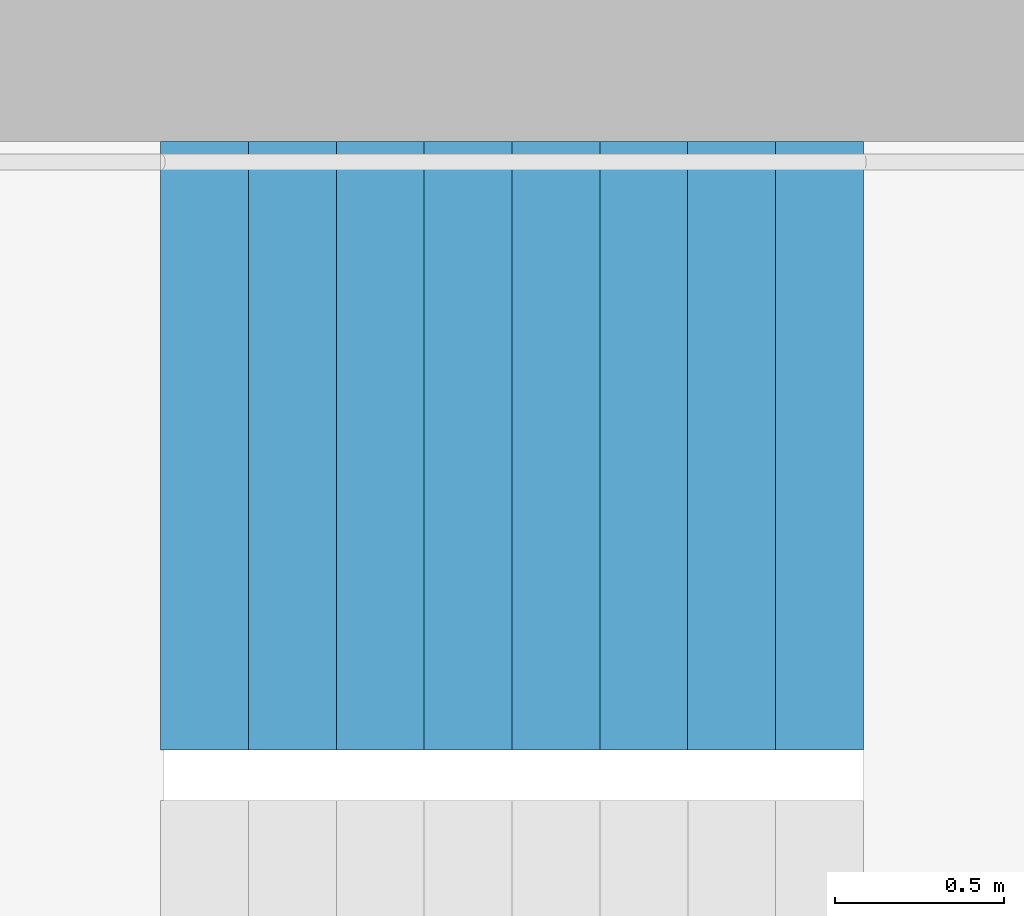
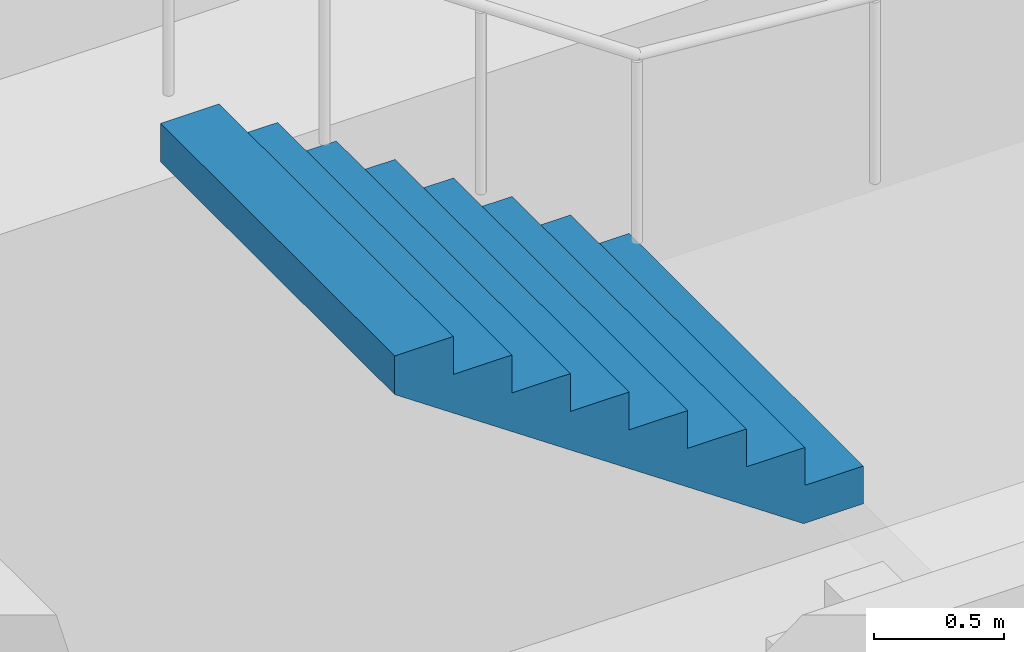
# One storey, part 22 of 27: 1 stair flight, 1 element without a shape of its own.
"""IFC4 building model written with IfcOpenShell, lengths in metres."""

from ifc_helpers import new_model, si_unit, direction, frame, origin, place, context, subcontext, project, spatial, triangles, material, type_object, element, aggregate, save


model = new_model("IFC4")

# Units and contexts
model_context = context("Model", 3, precision=1e-05, world=origin(), true_north=direction((0.0, 1.0)))
body_context = subcontext(model_context, "Body", "Model", "MODEL_VIEW")
ifc_project = project(units=[si_unit("LENGTHUNIT", "METRE"), si_unit("AREAUNIT", "SQUARE_METRE"), si_unit("VOLUMEUNIT", "CUBIC_METRE"), si_unit("PLANEANGLEUNIT", "RADIAN"), si_unit("MASSUNIT", "GRAM", prefix="KILO")], contexts=[model_context])

# Site, building, storey
site_placement = place(None, origin())
site = spatial("IfcSite", under=ifc_project, at=site_placement, CompositionType="ELEMENT")
building_placement = place(site_placement, origin())
building = spatial("IfcBuilding", under=site, at=building_placement, Name="Hakoniwa Tower and Hamabe Station Hall", CompositionType="ELEMENT")
storey_placement = place(building_placement, frame((0.0, 0.0, 261.39990234375)))
storey = spatial("IfcBuildingStorey", under=building, at=storey_placement, Name="L74", CompositionType="ELEMENT", Elevation=261.39990234375)

# Stair, stair flight
ifc_material_1 = material(Name="Concrete C40", Category="concrete")
stair_type = type_object("IfcStairType", Name="ESCAPE STAIR 1800", PredefinedType="HALF_TURN_STAIR", material=ifc_material_1)
stair_placement = place(storey_placement, origin())
stair = element("IfcStair", 1, at=stair_placement, inside=storey, type_object=stair_type, Name="Escape stair ST-1 L74", PredefinedType="HALF_TURN_STAIR")
ifc_material_2 = material(Name="Concrete C40", Category="concrete")
stair_flight_type = type_object("IfcStairFlightType", Name="STAIR FLIGHT 1800", PredefinedType="STRAIGHT", material=ifc_material_2)
stair_flight_placement = place(storey_placement, frame((-22.320068359375, 6.60009765625, 1.60009765625), z_axis=(0.0, 0.0, 1.0), x_axis=(-1.0, 0.0, 0.0)))
stair_flight = element("IfcStairFlight", 2, at=stair_flight_placement, type_object=stair_flight_type, Name="ST-1 flight 2", NumberOfRisers=9, NumberOfTreads=8, PredefinedType="STRAIGHT", RiserHeight=0.177777778, TreadLength=0.26, context=body_context, shape_type="Tessellation", body=[
    triangles([(0.0, 0.89990234375, 0.0), (0.260009765625, 0.89990234375, 0.0), (0.265625, 0.89990234375, 0.0), (0.52001953125, 0.89990234375, 0.174072265625), (0.780029296875, 0.89990234375, 0.351806640625), (1.0400390625, 0.89990234375, 0.529541015625), (1.300048828125, 0.89990234375, 0.707275390625), (1.56005859375, 0.89990234375, 0.885009765625), (1.820068359375, 0.89990234375, 1.062744140625), (2.080078125, 0.89990234375, 1.24072265625), (2.080078125, 0.89990234375, 1.422119140625), (1.820068359375, 0.89990234375, 1.422119140625), (1.820068359375, 0.89990234375, 1.244384765625), (1.56005859375, 0.89990234375, 1.244384765625), (1.56005859375, 0.89990234375, 1.066650390625), (1.300048828125, 0.89990234375, 1.066650390625), (1.300048828125, 0.89990234375, 0.888916015625), (1.0400390625, 0.89990234375, 0.888916015625), (1.0400390625, 0.89990234375, 0.711181640625), (0.780029296875, 0.89990234375, 0.711181640625), (0.780029296875, 0.89990234375, 0.533447265625), (0.52001953125, 0.89990234375, 0.533447265625), (0.52001953125, 0.89990234375, 0.35546875), (0.265625, 0.89990234375, 0.35546875), (0.260009765625, 0.89990234375, 0.35546875), (0.260009765625, 0.89990234375, 0.177734375), (0.0, 0.89990234375, 0.177734375), (0.0, 0.06005859375, 0.0), (0.260009765625, 0.06005859375, 0.0), (0.265625, 0.06005859375, 0.0), (0.52001953125, 0.06005859375, 0.174072265625), (0.780029296875, 0.06005859375, 0.351806640625), (1.0400390625, 0.06005859375, 0.529541015625), (1.300048828125, 0.06005859375, 0.707275390625), (1.56005859375, 0.06005859375, 0.885009765625), (1.820068359375, 0.06005859375, 1.062744140625), (2.080078125, 0.06005859375, 1.24072265625), (2.080078125, 0.06005859375, 1.422119140625), (1.820068359375, 0.06005859375, 1.422119140625), (1.820068359375, 0.06005859375, 1.244384765625), (1.56005859375, 0.06005859375, 1.244384765625), (1.56005859375, 0.06005859375, 1.066650390625), (1.300048828125, 0.06005859375, 1.066650390625), (1.300048828125, 0.06005859375, 0.888916015625), (1.0400390625, 0.06005859375, 0.888916015625), (1.0400390625, 0.06005859375, 0.711181640625), (0.780029296875, 0.06005859375, 0.711181640625), (0.780029296875, 0.06005859375, 0.533447265625), (0.52001953125, 0.06005859375, 0.533447265625), (0.52001953125, 0.06005859375, 0.35546875), (0.265625, 0.06005859375, 0.35546875), (0.260009765625, 0.06005859375, 0.35546875), (0.260009765625, 0.06005859375, 0.177734375), (0.0, 0.06005859375, 0.177734375), (0.0, 0.04296875, 0.0), (0.260009765625, 0.04296875, 0.0), (0.265625, 0.04296875, 0.0), (0.52001953125, 0.04296875, 0.174072265625), (0.780029296875, 0.04296875, 0.351806640625), (1.0400390625, 0.04296875, 0.529541015625), (1.300048828125, 0.04296875, 0.707275390625), (1.56005859375, 0.04296875, 0.885009765625), (1.820068359375, 0.04296875, 1.062744140625), (2.080078125, 0.04296875, 1.24072265625), (2.080078125, 0.04296875, 1.422119140625), (1.820068359375, 0.04296875, 1.422119140625), (1.820068359375, 0.04296875, 1.244384765625), (1.56005859375, 0.04296875, 1.244384765625), (1.56005859375, 0.04296875, 1.066650390625), (1.300048828125, 0.04296875, 1.066650390625), (1.300048828125, 0.04296875, 0.888916015625), (1.0400390625, 0.04296875, 0.888916015625), (1.0400390625, 0.04296875, 0.711181640625), (0.780029296875, 0.04296875, 0.711181640625), (0.780029296875, 0.04296875, 0.533447265625), (0.52001953125, 0.04296875, 0.533447265625), (0.52001953125, 0.04296875, 0.35546875), (0.265625, 0.04296875, 0.35546875), (0.260009765625, 0.04296875, 0.35546875), (0.260009765625, 0.04296875, 0.177734375), (0.0, 0.04296875, 0.177734375), (0.0, 0.025634765625, 0.0), (0.260009765625, 0.025634765625, 0.0), (0.265625, 0.025634765625, 0.0), (0.52001953125, 0.025634765625, 0.174072265625), (0.780029296875, 0.025634765625, 0.351806640625), (1.0400390625, 0.025634765625, 0.529541015625), (1.300048828125, 0.025634765625, 0.707275390625), (1.56005859375, 0.025634765625, 0.885009765625), (1.820068359375, 0.025634765625, 1.062744140625), (2.080078125, 0.025634765625, 1.24072265625), (2.080078125, 0.025634765625, 1.422119140625), (1.820068359375, 0.025634765625, 1.422119140625), (1.820068359375, 0.025634765625, 1.244384765625), (1.56005859375, 0.025634765625, 1.244384765625), (1.56005859375, 0.025634765625, 1.066650390625), (1.300048828125, 0.025634765625, 1.066650390625), (1.300048828125, 0.025634765625, 0.888916015625), (1.0400390625, 0.025634765625, 0.888916015625), (1.0400390625, 0.025634765625, 0.711181640625), (0.780029296875, 0.025634765625, 0.711181640625), (0.780029296875, 0.025634765625, 0.533447265625), (0.52001953125, 0.025634765625, 0.533447265625), (0.52001953125, 0.025634765625, 0.35546875), (0.265625, 0.025634765625, 0.35546875), (0.260009765625, 0.025634765625, 0.35546875), (0.260009765625, 0.025634765625, 0.177734375), (0.0, 0.025634765625, 0.177734375), (0.0, 0.008544921875, 0.0), (0.260009765625, 0.008544921875, 0.0), (0.265625, 0.008544921875, 0.0), (0.52001953125, 0.008544921875, 0.174072265625), (0.780029296875, 0.008544921875, 0.351806640625), (1.0400390625, 0.008544921875, 0.529541015625), (1.300048828125, 0.008544921875, 0.707275390625), (1.56005859375, 0.008544921875, 0.885009765625), (1.820068359375, 0.008544921875, 1.062744140625), (2.080078125, 0.008544921875, 1.24072265625), (2.080078125, 0.008544921875, 1.422119140625), (1.820068359375, 0.008544921875, 1.422119140625), (1.820068359375, 0.008544921875, 1.244384765625), (1.56005859375, 0.008544921875, 1.244384765625), (1.56005859375, 0.008544921875, 1.066650390625), (1.300048828125, 0.008544921875, 1.066650390625), (1.300048828125, 0.008544921875, 0.888916015625), (1.0400390625, 0.008544921875, 0.888916015625), (1.0400390625, 0.008544921875, 0.711181640625), (0.780029296875, 0.008544921875, 0.711181640625), (0.780029296875, 0.008544921875, 0.533447265625), (0.52001953125, 0.008544921875, 0.533447265625), (0.52001953125, 0.008544921875, 0.35546875), (0.265625, 0.008544921875, 0.35546875), (0.260009765625, 0.008544921875, 0.35546875), (0.260009765625, 0.008544921875, 0.177734375), (0.0, 0.008544921875, 0.177734375), (0.0, -0.008544921875, 0.0), (0.260009765625, -0.008544921875, 0.0), (0.265625, -0.008544921875, 0.0), (0.52001953125, -0.008544921875, 0.174072265625), (0.780029296875, -0.008544921875, 0.351806640625), (1.0400390625, -0.008544921875, 0.529541015625), (1.300048828125, -0.008544921875, 0.707275390625), (1.56005859375, -0.008544921875, 0.885009765625), (1.820068359375, -0.008544921875, 1.062744140625), (2.080078125, -0.008544921875, 1.24072265625), (2.080078125, -0.008544921875, 1.422119140625), (1.820068359375, -0.008544921875, 1.422119140625), (1.820068359375, -0.008544921875, 1.244384765625), (1.56005859375, -0.008544921875, 1.244384765625), (1.56005859375, -0.008544921875, 1.066650390625), (1.300048828125, -0.008544921875, 1.066650390625), (1.300048828125, -0.008544921875, 0.888916015625), (1.0400390625, -0.008544921875, 0.888916015625), (1.0400390625, -0.008544921875, 0.711181640625), (0.780029296875, -0.008544921875, 0.711181640625), (0.780029296875, -0.008544921875, 0.533447265625), (0.52001953125, -0.008544921875, 0.533447265625), (0.52001953125, -0.008544921875, 0.35546875), (0.265625, -0.008544921875, 0.35546875), (0.260009765625, -0.008544921875, 0.35546875), (0.260009765625, -0.008544921875, 0.177734375), (0.0, -0.008544921875, 0.177734375), (0.0, -0.025634765625, 0.0), (0.260009765625, -0.025634765625, 0.0), (0.265625, -0.025634765625, 0.0), (0.52001953125, -0.025634765625, 0.174072265625), (0.780029296875, -0.025634765625, 0.351806640625), (1.0400390625, -0.025634765625, 0.529541015625), (1.300048828125, -0.025634765625, 0.707275390625), (1.56005859375, -0.025634765625, 0.885009765625), (1.820068359375, -0.025634765625, 1.062744140625), (2.080078125, -0.025634765625, 1.24072265625), (2.080078125, -0.025634765625, 1.422119140625), (1.820068359375, -0.025634765625, 1.422119140625), (1.820068359375, -0.025634765625, 1.244384765625), (1.56005859375, -0.025634765625, 1.244384765625), (1.56005859375, -0.025634765625, 1.066650390625), (1.300048828125, -0.025634765625, 1.066650390625), (1.300048828125, -0.025634765625, 0.888916015625), (1.0400390625, -0.025634765625, 0.888916015625), (1.0400390625, -0.025634765625, 0.711181640625), (0.780029296875, -0.025634765625, 0.711181640625), (0.780029296875, -0.025634765625, 0.533447265625), (0.52001953125, -0.025634765625, 0.533447265625), (0.52001953125, -0.025634765625, 0.35546875), (0.265625, -0.025634765625, 0.35546875), (0.260009765625, -0.025634765625, 0.35546875), (0.260009765625, -0.025634765625, 0.177734375), (0.0, -0.025634765625, 0.177734375), (0.0, -0.04296875, 0.0), (0.260009765625, -0.04296875, 0.0), (0.265625, -0.04296875, 0.0), (0.52001953125, -0.04296875, 0.174072265625), (0.780029296875, -0.04296875, 0.351806640625), (1.0400390625, -0.04296875, 0.529541015625), (1.300048828125, -0.04296875, 0.707275390625), (1.56005859375, -0.04296875, 0.885009765625), (1.820068359375, -0.04296875, 1.062744140625), (2.080078125, -0.04296875, 1.24072265625), (2.080078125, -0.04296875, 1.422119140625), (1.820068359375, -0.04296875, 1.422119140625), (1.820068359375, -0.04296875, 1.244384765625), (1.56005859375, -0.04296875, 1.244384765625), (1.56005859375, -0.04296875, 1.066650390625), (1.300048828125, -0.04296875, 1.066650390625), (1.300048828125, -0.04296875, 0.888916015625), (1.0400390625, -0.04296875, 0.888916015625), (1.0400390625, -0.04296875, 0.711181640625), (0.780029296875, -0.04296875, 0.711181640625), (0.780029296875, -0.04296875, 0.533447265625), (0.52001953125, -0.04296875, 0.533447265625), (0.52001953125, -0.04296875, 0.35546875), (0.265625, -0.04296875, 0.35546875), (0.260009765625, -0.04296875, 0.35546875), (0.260009765625, -0.04296875, 0.177734375), (0.0, -0.04296875, 0.177734375), (0.0, -0.06005859375, 0.0), (0.260009765625, -0.06005859375, 0.0), (0.265625, -0.06005859375, 0.0), (0.52001953125, -0.06005859375, 0.174072265625), (0.780029296875, -0.06005859375, 0.351806640625), (1.0400390625, -0.06005859375, 0.529541015625), (1.300048828125, -0.06005859375, 0.707275390625), (1.56005859375, -0.06005859375, 0.885009765625), (1.820068359375, -0.06005859375, 1.062744140625), (2.080078125, -0.06005859375, 1.24072265625), (2.080078125, -0.06005859375, 1.422119140625), (1.820068359375, -0.06005859375, 1.422119140625), (1.820068359375, -0.06005859375, 1.244384765625), (1.56005859375, -0.06005859375, 1.244384765625), (1.56005859375, -0.06005859375, 1.066650390625), (1.300048828125, -0.06005859375, 1.066650390625), (1.300048828125, -0.06005859375, 0.888916015625), (1.0400390625, -0.06005859375, 0.888916015625), (1.0400390625, -0.06005859375, 0.711181640625), (0.780029296875, -0.06005859375, 0.711181640625), (0.780029296875, -0.06005859375, 0.533447265625), (0.52001953125, -0.06005859375, 0.533447265625), (0.52001953125, -0.06005859375, 0.35546875), (0.265625, -0.06005859375, 0.35546875), (0.260009765625, -0.06005859375, 0.35546875), (0.260009765625, -0.06005859375, 0.177734375), (0.0, -0.06005859375, 0.177734375), (0.0, -0.89990234375, 0.0), (0.260009765625, -0.89990234375, 0.0), (0.265625, -0.89990234375, 0.0), (0.52001953125, -0.89990234375, 0.174072265625), (0.780029296875, -0.89990234375, 0.351806640625), (1.0400390625, -0.89990234375, 0.529541015625), (1.300048828125, -0.89990234375, 0.707275390625), (1.56005859375, -0.89990234375, 0.885009765625), (1.820068359375, -0.89990234375, 1.062744140625), (2.080078125, -0.89990234375, 1.24072265625), (2.080078125, -0.89990234375, 1.422119140625), (1.820068359375, -0.89990234375, 1.422119140625), (1.820068359375, -0.89990234375, 1.244384765625), (1.56005859375, -0.89990234375, 1.244384765625), (1.56005859375, -0.89990234375, 1.066650390625), (1.300048828125, -0.89990234375, 1.066650390625), (1.300048828125, -0.89990234375, 0.888916015625), (1.0400390625, -0.89990234375, 0.888916015625), (1.0400390625, -0.89990234375, 0.711181640625), (0.780029296875, -0.89990234375, 0.711181640625), (0.780029296875, -0.89990234375, 0.533447265625), (0.52001953125, -0.89990234375, 0.533447265625), (0.52001953125, -0.89990234375, 0.35546875), (0.265625, -0.89990234375, 0.35546875), (0.260009765625, -0.89990234375, 0.35546875), (0.260009765625, -0.89990234375, 0.177734375), (0.0, -0.89990234375, 0.177734375)], [[2, 27, 26], [245, 269, 270], [2, 1, 27], [245, 270, 244], [3, 25, 24], [246, 267, 268], [3, 26, 25], [246, 268, 269], [3, 2, 26], [246, 269, 245], [4, 24, 23], [247, 266, 267], [4, 3, 24], [247, 267, 246], [5, 22, 21], [248, 264, 265], [5, 23, 22], [248, 265, 266], [5, 4, 23], [248, 266, 247], [6, 20, 19], [249, 262, 263], [6, 21, 20], [249, 263, 264], [6, 5, 21], [249, 264, 248], [7, 18, 17], [250, 260, 261], [7, 19, 18], [250, 261, 262], [7, 6, 19], [250, 262, 249], [8, 16, 15], [251, 258, 259], [8, 17, 16], [251, 259, 260], [8, 7, 17], [251, 260, 250], [9, 14, 13], [252, 256, 257], [9, 15, 14], [252, 257, 258], [9, 8, 15], [252, 258, 251], [10, 12, 11], [253, 254, 255], [10, 13, 12], [253, 255, 256], [10, 9, 13], [253, 256, 252], [1, 2, 29], [1, 29, 28], [28, 29, 56], [28, 56, 55], [55, 56, 83], [55, 83, 82], [82, 83, 110], [82, 110, 109], [109, 110, 137], [109, 137, 136], [136, 137, 164], [136, 164, 163], [163, 164, 191], [163, 191, 190], [190, 191, 218], [190, 218, 217], [217, 218, 245], [217, 245, 244], [2, 3, 30], [2, 30, 29], [29, 30, 57], [29, 57, 56], [56, 57, 84], [56, 84, 83], [83, 84, 111], [83, 111, 110], [110, 111, 138], [110, 138, 137], [137, 138, 165], [137, 165, 164], [164, 165, 192], [164, 192, 191], [191, 192, 219], [191, 219, 218], [218, 219, 246], [218, 246, 245], [3, 4, 31], [3, 31, 30], [30, 31, 58], [30, 58, 57], [57, 58, 85], [57, 85, 84], [84, 85, 112], [84, 112, 111], [111, 112, 139], [111, 139, 138], [138, 139, 166], [138, 166, 165], [165, 166, 193], [165, 193, 192], [192, 193, 220], [192, 220, 219], [219, 220, 247], [219, 247, 246], [4, 5, 32], [4, 32, 31], [31, 32, 59], [31, 59, 58], [58, 59, 86], [58, 86, 85], [85, 86, 113], [85, 113, 112], [112, 113, 140], [112, 140, 139], [139, 140, 167], [139, 167, 166], [166, 167, 194], [166, 194, 193], [193, 194, 221], [193, 221, 220], [220, 221, 248], [220, 248, 247], [5, 6, 33], [5, 33, 32], [32, 33, 60], [32, 60, 59], [59, 60, 87], [59, 87, 86], [86, 87, 114], [86, 114, 113], [113, 114, 141], [113, 141, 140], [140, 141, 168], [140, 168, 167], [167, 168, 195], [167, 195, 194], [194, 195, 222], [194, 222, 221], [221, 222, 249], [221, 249, 248], [6, 7, 34], [6, 34, 33], [33, 34, 61], [33, 61, 60], [60, 61, 88], [60, 88, 87], [87, 88, 115], [87, 115, 114], [114, 115, 142], [114, 142, 141], [141, 142, 169], [141, 169, 168], [168, 169, 196], [168, 196, 195], [195, 196, 223], [195, 223, 222], [222, 223, 250], [222, 250, 249], [7, 8, 35], [7, 35, 34], [34, 35, 62], [34, 62, 61], [61, 62, 89], [61, 89, 88], [88, 89, 116], [88, 116, 115], [115, 116, 143], [115, 143, 142], [142, 143, 170], [142, 170, 169], [169, 170, 197], [169, 197, 196], [196, 197, 224], [196, 224, 223], [223, 224, 251], [223, 251, 250], [8, 9, 36], [8, 36, 35], [35, 36, 63], [35, 63, 62], [62, 63, 90], [62, 90, 89], [89, 90, 117], [89, 117, 116], [116, 117, 144], [116, 144, 143], [143, 144, 171], [143, 171, 170], [170, 171, 198], [170, 198, 197], [197, 198, 225], [197, 225, 224], [224, 225, 252], [224, 252, 251], [9, 10, 37], [9, 37, 36], [36, 37, 64], [36, 64, 63], [63, 64, 91], [63, 91, 90], [90, 91, 118], [90, 118, 117], [117, 118, 145], [117, 145, 144], [144, 145, 172], [144, 172, 171], [171, 172, 199], [171, 199, 198], [198, 199, 226], [198, 226, 225], [225, 226, 253], [225, 253, 252], [10, 11, 38], [10, 38, 37], [37, 38, 65], [37, 65, 64], [64, 65, 92], [64, 92, 91], [91, 92, 119], [91, 119, 118], [118, 119, 146], [118, 146, 145], [145, 146, 173], [145, 173, 172], [172, 173, 200], [172, 200, 199], [199, 200, 227], [199, 227, 226], [226, 227, 254], [226, 254, 253], [11, 12, 39], [11, 39, 38], [38, 39, 66], [38, 66, 65], [65, 66, 93], [65, 93, 92], [92, 93, 120], [92, 120, 119], [119, 120, 147], [119, 147, 146], [146, 147, 174], [146, 174, 173], [173, 174, 201], [173, 201, 200], [200, 201, 228], [200, 228, 227], [227, 228, 255], [227, 255, 254], [12, 13, 40], [12, 40, 39], [39, 40, 67], [39, 67, 66], [66, 67, 94], [66, 94, 93], [93, 94, 121], [93, 121, 120], [120, 121, 148], [120, 148, 147], [147, 148, 175], [147, 175, 174], [174, 175, 202], [174, 202, 201], [201, 202, 229], [201, 229, 228], [228, 229, 256], [228, 256, 255], [13, 14, 41], [13, 41, 40], [40, 41, 68], [40, 68, 67], [67, 68, 95], [67, 95, 94], [94, 95, 122], [94, 122, 121], [121, 122, 149], [121, 149, 148], [148, 149, 176], [148, 176, 175], [175, 176, 203], [175, 203, 202], [202, 203, 230], [202, 230, 229], [229, 230, 257], [229, 257, 256], [14, 15, 42], [14, 42, 41], [41, 42, 69], [41, 69, 68], [68, 69, 96], [68, 96, 95], [95, 96, 123], [95, 123, 122], [122, 123, 150], [122, 150, 149], [149, 150, 177], [149, 177, 176], [176, 177, 204], [176, 204, 203], [203, 204, 231], [203, 231, 230], [230, 231, 258], [230, 258, 257], [15, 16, 43], [15, 43, 42], [42, 43, 70], [42, 70, 69], [69, 70, 97], [69, 97, 96], [96, 97, 124], [96, 124, 123], [123, 124, 151], [123, 151, 150], [150, 151, 178], [150, 178, 177], [177, 178, 205], [177, 205, 204], [204, 205, 232], [204, 232, 231], [231, 232, 259], [231, 259, 258], [16, 17, 44], [16, 44, 43], [43, 44, 71], [43, 71, 70], [70, 71, 98], [70, 98, 97], [97, 98, 125], [97, 125, 124], [124, 125, 152], [124, 152, 151], [151, 152, 179], [151, 179, 178], [178, 179, 206], [178, 206, 205], [205, 206, 233], [205, 233, 232], [232, 233, 260], [232, 260, 259], [17, 18, 45], [17, 45, 44], [44, 45, 72], [44, 72, 71], [71, 72, 99], [71, 99, 98], [98, 99, 126], [98, 126, 125], [125, 126, 153], [125, 153, 152], [152, 153, 180], [152, 180, 179], [179, 180, 207], [179, 207, 206], [206, 207, 234], [206, 234, 233], [233, 234, 261], [233, 261, 260], [18, 19, 46], [18, 46, 45], [45, 46, 73], [45, 73, 72], [72, 73, 100], [72, 100, 99], [99, 100, 127], [99, 127, 126], [126, 127, 154], [126, 154, 153], [153, 154, 181], [153, 181, 180], [180, 181, 208], [180, 208, 207], [207, 208, 235], [207, 235, 234], [234, 235, 262], [234, 262, 261], [19, 20, 47], [19, 47, 46], [46, 47, 74], [46, 74, 73], [73, 74, 101], [73, 101, 100], [100, 101, 128], [100, 128, 127], [127, 128, 155], [127, 155, 154], [154, 155, 182], [154, 182, 181], [181, 182, 209], [181, 209, 208], [208, 209, 236], [208, 236, 235], [235, 236, 263], [235, 263, 262], [20, 21, 48], [20, 48, 47], [47, 48, 75], [47, 75, 74], [74, 75, 102], [74, 102, 101], [101, 102, 129], [101, 129, 128], [128, 129, 156], [128, 156, 155], [155, 156, 183], [155, 183, 182], [182, 183, 210], [182, 210, 209], [209, 210, 237], [209, 237, 236], [236, 237, 264], [236, 264, 263], [21, 22, 49], [21, 49, 48], [48, 49, 76], [48, 76, 75], [75, 76, 103], [75, 103, 102], [102, 103, 130], [102, 130, 129], [129, 130, 157], [129, 157, 156], [156, 157, 184], [156, 184, 183], [183, 184, 211], [183, 211, 210], [210, 211, 238], [210, 238, 237], [237, 238, 265], [237, 265, 264], [22, 23, 50], [22, 50, 49], [49, 50, 77], [49, 77, 76], [76, 77, 104], [76, 104, 103], [103, 104, 131], [103, 131, 130], [130, 131, 158], [130, 158, 157], [157, 158, 185], [157, 185, 184], [184, 185, 212], [184, 212, 211], [211, 212, 239], [211, 239, 238], [238, 239, 266], [238, 266, 265], [23, 24, 51], [23, 51, 50], [50, 51, 78], [50, 78, 77], [77, 78, 105], [77, 105, 104], [104, 105, 132], [104, 132, 131], [131, 132, 159], [131, 159, 158], [158, 159, 186], [158, 186, 185], [185, 186, 213], [185, 213, 212], [212, 213, 240], [212, 240, 239], [239, 240, 267], [239, 267, 266], [24, 25, 52], [24, 52, 51], [51, 52, 79], [51, 79, 78], [78, 79, 106], [78, 106, 105], [105, 106, 133], [105, 133, 132], [132, 133, 160], [132, 160, 159], [159, 160, 187], [159, 187, 186], [186, 187, 214], [186, 214, 213], [213, 214, 241], [213, 241, 240], [240, 241, 268], [240, 268, 267], [25, 26, 53], [25, 53, 52], [52, 53, 80], [52, 80, 79], [79, 80, 107], [79, 107, 106], [106, 107, 134], [106, 134, 133], [133, 134, 161], [133, 161, 160], [160, 161, 188], [160, 188, 187], [187, 188, 215], [187, 215, 214], [214, 215, 242], [214, 242, 241], [241, 242, 269], [241, 269, 268], [26, 27, 54], [26, 54, 53], [53, 54, 81], [53, 81, 80], [80, 81, 108], [80, 108, 107], [107, 108, 135], [107, 135, 134], [134, 135, 162], [134, 162, 161], [161, 162, 189], [161, 189, 188], [188, 189, 216], [188, 216, 215], [215, 216, 243], [215, 243, 242], [242, 243, 270], [242, 270, 269], [27, 1, 28], [27, 28, 54], [54, 28, 55], [54, 55, 81], [81, 55, 82], [81, 82, 108], [108, 82, 109], [108, 109, 135], [135, 109, 136], [135, 136, 162], [162, 136, 163], [162, 163, 189], [189, 163, 190], [189, 190, 216], [216, 190, 217], [216, 217, 243], [243, 217, 244], [243, 244, 270]], closed=True),
])
aggregate(stair, [stair_flight])

save(model, "model.ifc")
